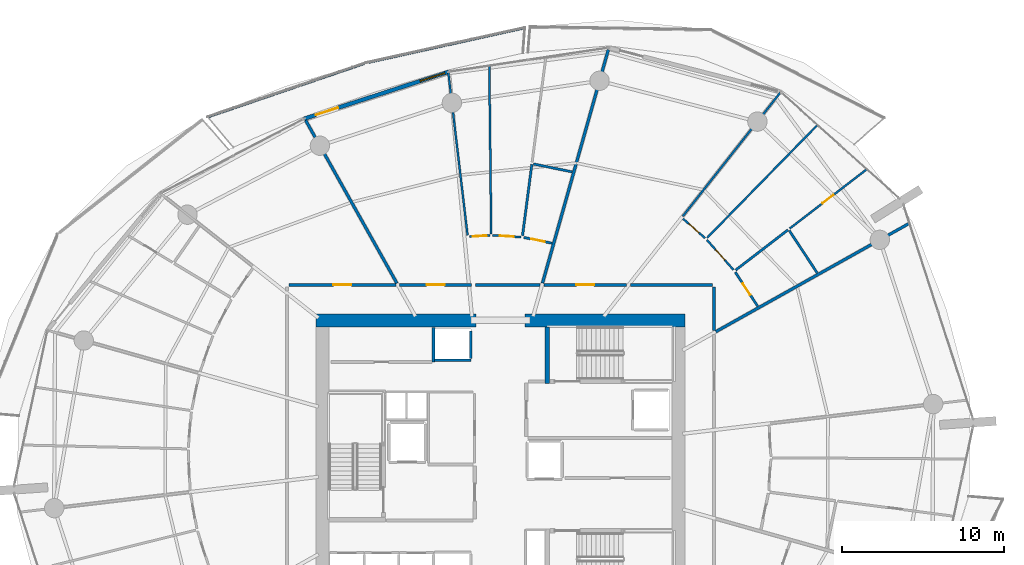
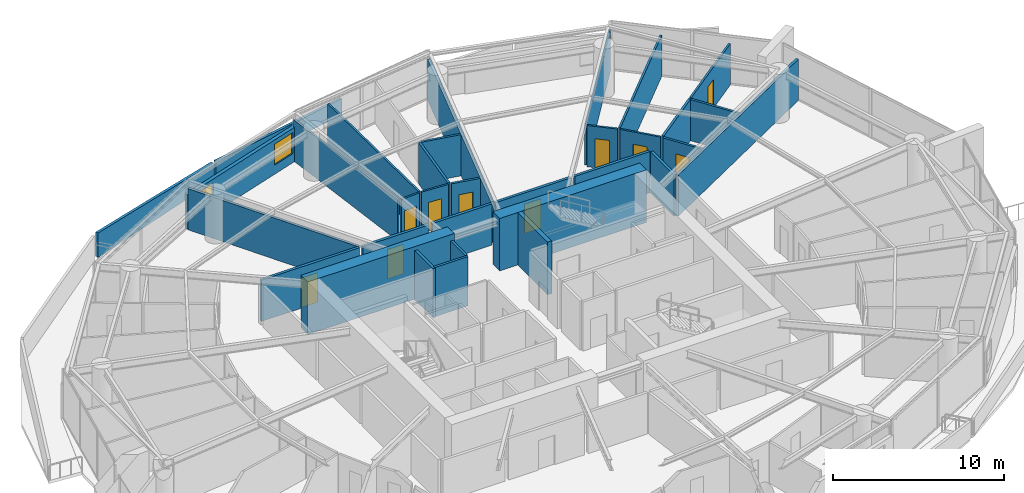
# One storey, part 15 of 23: 33 walls, 11 doors, 1 window, 12 openings.
"""IFC4 building model written with IfcOpenShell, lengths in metres."""

import ifcopenshell
import ifcopenshell.guid

model = None  # the IFC model being written
_history = None  # IfcOwnerHistory: only IFC2X3 demands one
_inside = {}  # id of a spatial element -> (the spatial element, [elements in it])
_under = {}  # id of a project, library or spatial element -> (it, [spatial elements below it])
_declared = {}  # id of a project -> (the project, [libraries it declares])
_typed = {}  # id of a type object -> (the type object, [elements of that type])
_made_of = {}  # id of a material, layer set ... -> (it, [elements and type objects made of it])


def new_model(schema):
    """Start an empty IFC model of exactly this schema.

    Asked for "IFC4X3", IfcOpenShell would pick the latest addendum, in which some entities
    have other attributes; the version numbers below select the first issue.
    IFC2X3 requires an IfcOwnerHistory on every rooted entity: one is made here for all.
    """
    global model, _history
    if schema == "IFC4X3":
        model = ifcopenshell.file(schema_version=(4, 3, 0, 0))
    else:
        model = ifcopenshell.file(schema=schema)
    _inside.clear()
    _under.clear()
    _declared.clear()
    _typed.clear()
    _made_of.clear()
    _history = None
    if model.schema == "IFC2X3":
        org = make("IfcOrganization", Name="unknown")
        user = make(
            "IfcPersonAndOrganization",
            ThePerson=make("IfcPerson", FamilyName="unknown"),
            TheOrganization=org,
        )
        app = make(
            "IfcApplication",
            ApplicationDeveloper=org,
            Version="unknown",
            ApplicationFullName="unknown",
            ApplicationIdentifier="unknown",
        )
        _history = make(
            "IfcOwnerHistory",
            OwningUser=user,
            OwningApplication=app,
            ChangeAction="ADDED",
            CreationDate=0,
        )
    return model


def make(cls, **values):
    """One entity of the class cls with the attributes given. An attribute that is None is left unset."""
    return model.create_entity(
        cls, **{name: value for name, value in values.items() if value is not None}
    )


def rooted(cls, **values):
    """An entity with a GlobalId (a new one), such as an element, a storey or a relation."""
    return make(cls, GlobalId=ifcopenshell.guid.new(), OwnerHistory=_history, **values)


def si_unit(unit_type, name, prefix=None):
    """IfcSIUnit, for example si_unit("LENGTHUNIT", "METRE", prefix="MILLI")."""
    return make("IfcSIUnit", UnitType=unit_type, Prefix=prefix, Name=name)


def assignment(units):
    """IfcUnitAssignment: the units of a project."""
    return None if units is None else make("IfcUnitAssignment", Units=units)


def point(xyz):
    """IfcCartesianPoint."""
    return None if xyz is None else make("IfcCartesianPoint", Coordinates=xyz)


def direction(xyz):
    """IfcDirection."""
    return None if xyz is None else make("IfcDirection", DirectionRatios=xyz)


def frame(location, z_axis=None, x_axis=None):
    """IfcAxis2Placement3D, a coordinate frame: its origin and axes. An axis left out is left unset."""
    return make(
        "IfcAxis2Placement3D",
        Location=point(location),
        Axis=direction(z_axis),
        RefDirection=direction(x_axis),
    )


def frame_2d(location, x_axis=None):
    """IfcAxis2Placement2D, a coordinate frame in the plane: its origin and x axis."""
    return make(
        "IfcAxis2Placement2D", Location=point(location), RefDirection=direction(x_axis)
    )


def origin():
    """The frame at (0, 0, 0) with its axes left unset."""
    return frame((0.0, 0.0, 0.0))


def place(relative_to, where):
    """IfcLocalPlacement: puts the frame where relative to a parent placement (None: the world)."""
    return make(
        "IfcLocalPlacement", PlacementRelTo=relative_to, RelativePlacement=where
    )


def context(
    kind, dimensions, precision=None, world=None, true_north=None, identifier=None
):
    """IfcGeometricRepresentationContext, for example the 3D "Model" context."""
    return make(
        "IfcGeometricRepresentationContext",
        ContextIdentifier=identifier,
        ContextType=kind,
        CoordinateSpaceDimension=dimensions,
        Precision=precision,
        WorldCoordinateSystem=world,
        TrueNorth=true_north,
    )


def subcontext(parent, identifier, kind, view, scale=None):
    """IfcGeometricRepresentationSubContext, for example "Body" below "Model"."""
    return make(
        "IfcGeometricRepresentationSubContext",
        ContextIdentifier=identifier,
        ContextType=kind,
        ParentContext=parent,
        TargetScale=scale,
        TargetView=view,
    )


def project(units=None, contexts=None):
    """IfcProject with its units and contexts."""
    return rooted(
        "IfcProject",
        Name="project",
        RepresentationContexts=contexts,
        UnitsInContext=assignment(units),
    )


def spatial(cls, under=None, at=None, **own):
    """A site, building, storey or space (cls), placed at a placement, below another one or the project."""
    s = rooted(cls, ObjectPlacement=at, **own)
    if under is not None:
        _under.setdefault(under.id(), (under, []))[1].append(s)
    return s


def polyline(points):
    """IfcPolyline through the points."""
    return make("IfcPolyline", Points=[point(p) for p in points])


def profile(cls, at=None, kind="AREA", **sizes):
    """A parametric profile (cls). Its sizes go by their IFC names, for example OverallWidth=200.0."""
    return make(cls, ProfileType=kind, Position=at, **sizes)


def rectangle(**sizes):
    """IfcRectangleProfileDef."""
    return profile("IfcRectangleProfileDef", **sizes)


def outline(outer, holes=None, kind="AREA"):
    """IfcArbitraryClosedProfileDef: a profile drawn as a closed curve; with holes, ...WithVoids."""
    if holes is None:
        return make("IfcArbitraryClosedProfileDef", ProfileType=kind, OuterCurve=outer)
    return make(
        "IfcArbitraryProfileDefWithVoids",
        ProfileType=kind,
        OuterCurve=outer,
        InnerCurves=holes,
    )


def extrude(swept, where, along, depth):
    """IfcExtrudedAreaSolid: the profile swept, set in the frame where, extruded along a direction by depth."""
    return make(
        "IfcExtrudedAreaSolid",
        SweptArea=swept,
        Position=where,
        ExtrudedDirection=direction(along),
        Depth=depth,
    )


def shape(context_of_items, identifier, shape_type, items):
    """IfcShapeRepresentation: the items that make up one representation, for example the "Body"."""
    return make(
        "IfcShapeRepresentation",
        ContextOfItems=context_of_items,
        RepresentationIdentifier=identifier,
        RepresentationType=shape_type,
        Items=items,
    )


def material(Name=None, Category=None):
    """IfcMaterial."""
    return make("IfcMaterial", Name=Name, Category=Category)


def layer(
    of_material, thickness, ventilated=None, Name=None, Category=None, Priority=None
):
    """IfcMaterialLayer: one layer of a wall or slab, of a material (None: an air gap)."""
    return make(
        "IfcMaterialLayer",
        Material=of_material,
        LayerThickness=thickness,
        IsVentilated=ventilated,
        Name=Name,
        Category=Category,
        Priority=Priority,
    )


def layer_set(layers, Name=None):
    """IfcMaterialLayerSet."""
    return make("IfcMaterialLayerSet", MaterialLayers=layers, LayerSetName=Name)


def made_of(thing, what):
    """Note that an element or type object is made of a material, layer set ...; save() writes the relation."""
    if what is not None:
        _made_of.setdefault(what.id(), (what, []))[1].append(thing)
    return thing


def type_object(cls, material=None, **own):
    """A type object (cls), such as IfcWallType, which elements share."""
    return made_of(rooted(cls, **own), material)


def element(
    cls,
    number,
    at=None,
    inside=None,
    cuts=None,
    type_object=None,
    material=None,
    context=None,
    identifier="Body",
    shape_type=None,
    held_by="IfcProductDefinitionShape",
    body=None,
    shapes=None,
    **own,
):
    """One element of the class cls, such as IfcWall. Its Tag is "e" and its number.

    at: its placement. inside: the storey or other place that contains it. cuts: it is an
    opening in that element (IfcRelVoidsElement). A single representation is given by context,
    identifier, shape_type and body (its items); several are given by shapes. held_by: the class
    of the entity that holds the representations. save() writes the other relations.
    """
    e = rooted(cls, Tag="e%d" % number, ObjectPlacement=at, **own)
    if body is not None:
        shapes = [shape(context, identifier, shape_type, body)]
    if shapes is not None:
        e.Representation = make(held_by, Representations=shapes)
    if inside is not None:
        _inside.setdefault(inside.id(), (inside, []))[1].append(e)
    if cuts is not None:
        rooted(
            "IfcRelVoidsElement", RelatingBuildingElement=cuts, RelatedOpeningElement=e
        )
    if type_object is not None:
        _typed.setdefault(type_object.id(), (type_object, []))[1].append(e)
    return made_of(e, material)


def fill(opening, filler):
    """IfcRelFillsElement: the door or window that sits in an opening."""
    return rooted(
        "IfcRelFillsElement",
        RelatingOpeningElement=opening,
        RelatedBuildingElement=filler,
    )


def aggregate(whole, parts):
    """IfcRelAggregates: a whole, such as a stair, and the parts it consists of."""
    return rooted("IfcRelAggregates", RelatingObject=whole, RelatedObjects=parts)


def save(model, path):
    """Write the relations noted so far, then the file.

    IfcRelAggregates (storeys below a building ...), IfcRelContainedInSpatialStructure (elements
    in a storey), IfcRelDefinesByType, IfcRelAssociatesMaterial and IfcRelDeclares: one each for
    every whole, place, type object, material and project.
    """
    for whole, parts in _under.values():
        aggregate(whole, parts)
    for where, things in _inside.values():
        rooted(
            "IfcRelContainedInSpatialStructure",
            RelatedElements=things,
            RelatingStructure=where,
        )
    for kind, things in _typed.values():
        rooted("IfcRelDefinesByType", RelatedObjects=things, RelatingType=kind)
    for what, things in _made_of.values():
        rooted("IfcRelAssociatesMaterial", RelatedObjects=things, RelatingMaterial=what)
    for by, libraries in _declared.values():
        rooted("IfcRelDeclares", RelatingContext=by, RelatedDefinitions=libraries)
    model.write(path)


model = new_model("IFC4")

# Units and contexts
model_context = context("Model", 3, precision=1e-05, world=origin(), true_north=direction((0.0, 1.0)))
body_context = subcontext(model_context, "Body", "Model", "MODEL_VIEW")
ifc_project = project(units=[si_unit("LENGTHUNIT", "METRE"), si_unit("AREAUNIT", "SQUARE_METRE"), si_unit("VOLUMEUNIT", "CUBIC_METRE"), si_unit("PLANEANGLEUNIT", "RADIAN"), si_unit("MASSUNIT", "GRAM", prefix="KILO")], contexts=[model_context])

# Site, building, storey
site_placement = place(None, origin())
site = spatial("IfcSite", under=ifc_project, at=site_placement, CompositionType="ELEMENT")
building_placement = place(site_placement, origin())
building = spatial("IfcBuilding", under=site, at=building_placement, Name="Kazma Halo Residences", CompositionType="ELEMENT")
storey_placement = place(building_placement, frame((0.0, 0.0, 78.89990234375)))
storey = spatial("IfcBuildingStorey", under=building, at=storey_placement, Name="L19", CompositionType="ELEMENT", Elevation=78.89990234375)

# Walls
ifc_material_1 = material(Name="White Concrete C50/60 Balustrade", Category="concrete")
ifc_layer_1 = layer(ifc_material_1, 0.179931640625)
ifc_layer_set_1 = layer_set([ifc_layer_1], Name="White Concrete C50/60 Balustrade")
wall_type_1 = type_object("IfcWallType", Name="WL-BAL-WAVE-180", PredefinedType="PARAPET", material=ifc_layer_set_1)
wall_1_placement = place(storey_placement, frame((49.9248046875, 68.52685546875, 0.0), z_axis=(0.0, 0.0, 1.0), x_axis=(-0.976378265654, -0.216068235423, 0.0)))
element("IfcWall", 1, at=wall_1_placement, inside=storey, type_object=wall_type_1, Name="L19 white wave balustrade wall NNW.1", PredefinedType="PARAPET", context=body_context, shape_type="SweptSolid", body=[
    extrude(outline(polyline([(0.0, 0.0), (9.95458984375, 0.0), (9.95458984375, 1.34814453125), (4.977294921875, 1.18212890625), (0.0, 1.1201171875), (0.0, 0.0)])), frame((0.0, 0.08984375, 0.0), z_axis=(0.0, -1.0, 0.0), x_axis=(1.0, 0.0, 0.0)), (0.0, 0.0, 1.0), 0.179931640625),
])
wall_2_placement = place(storey_placement, frame((39.974609375, 66.311279296875, 0.0), z_axis=(0.0, 0.0, 1.0), x_axis=(-0.94637474678, -0.323070949881, 0.0)))
element("IfcWall", 2, at=wall_2_placement, inside=storey, type_object=wall_type_1, Name="L19 white wave balustrade wall NNW.2", PredefinedType="PARAPET", context=body_context, shape_type="SweptSolid", body=[
    extrude(outline(polyline([(0.0, 0.0), (10.240966796875, 0.0), (10.240966796875, 1.7470703125), (5.12060546875, 1.56201171875), (0.0, 1.34814453125), (0.0, 0.0)])), frame((0.0, 0.08984375, 0.0), z_axis=(0.0, -1.0, 0.0), x_axis=(1.0, 0.0, 0.0)), (0.0, 0.0, 1.0), 0.179931640625),
])
ifc_material_2 = material(Name="Concrete C80/95", Category="concrete")
ifc_layer_2 = layer(ifc_material_2, 0.800048828125)
ifc_layer_set_2 = layer_set([ifc_layer_2], Name="Concrete C80/95")
wall_type_2 = type_object("IfcWallType", Name="WL-CORE-800", PredefinedType="SHEAR", material=ifc_layer_set_2)
wall_3_placement = place(storey_placement, frame((37.0, 50.39990234375, 0.0), z_axis=(0.0, 0.0, 1.0), x_axis=(1.0, 0.0, 0.0)))
element("IfcWall", 3, at=wall_3_placement, inside=storey, type_object=wall_type_2, Name="L19 central core shear wall NW", PredefinedType="SHEAR", context=body_context, shape_type="SweptSolid", body=[
    extrude(rectangle(XDim=9.89990234375, YDim=0.800048828125, at=frame_2d((4.949951171875, 0.0))), origin(), (0.0, 0.0, 1.0), 3.75),
])
wall_4_placement = place(storey_placement, frame((49.949951171875, 50.39990234375, 0.0), z_axis=(0.0, 0.0, 1.0), x_axis=(1.0, 0.0, 0.0)))
element("IfcWall", 4, at=wall_4_placement, inside=storey, type_object=wall_type_2, Name="L19 central core shear wall NE", PredefinedType="SHEAR", context=body_context, shape_type="SweptSolid", body=[
    extrude(rectangle(XDim=9.900146484375, YDim=0.800048828125, at=frame_2d((4.9501953125, 0.0))), origin(), (0.0, 0.0, 1.0), 3.75),
])
ifc_material_3 = material(Name="Concrete C60/75", Category="concrete")
ifc_layer_3 = layer(ifc_material_3, 0.280029296875)
ifc_layer_set_3 = layer_set([ifc_layer_3], Name="Concrete C60/75")
wall_type_3 = type_object("IfcWallType", Name="WL-CORE-ST-280", PredefinedType="SHEAR", material=ifc_layer_set_3)
wall_5_placement = place(storey_placement, frame((51.31005859375, 46.5, 0.0), z_axis=(0.0, 0.0, 1.0), x_axis=(0.0, 1.0, 0.0)))
element("IfcWall", 5, at=wall_5_placement, inside=storey, type_object=wall_type_3, Name="L19 stairwell bearing wall ST02-W", PredefinedType="SHEAR", context=body_context, shape_type="SweptSolid", body=[
    extrude(rectangle(XDim=3.5, YDim=0.280029296875, at=frame_2d((1.75, 0.0))), origin(), (0.0, 0.0, 1.0), 3.75),
])
ifc_material_4 = material(Name="Acoustic Twin-Stud Gypsum")
ifc_layer_4 = layer(ifc_material_4, 0.179931640625)
ifc_layer_set_4 = layer_set([ifc_layer_4], Name="Acoustic Twin-Stud Gypsum")
wall_type_4 = type_object("IfcWallType", Name="WL-DEM-180", PredefinedType="PARTITIONING", material=ifc_layer_set_4)
wall_6_placement = place(storey_placement, frame((61.74609375, 49.697998046875, 0.0), z_axis=(0.0, 0.0, 1.0), x_axis=(0.872489938668, 0.488632077256, 0.0)))
element("IfcWall", 6, at=wall_6_placement, inside=storey, type_object=wall_type_4, Name="L19 apartment demising radial wall 00", PredefinedType="PARTITIONING", context=body_context, shape_type="SweptSolid", body=[
    extrude(rectangle(XDim=13.724609375, YDim=0.179931640625, at=frame_2d((6.8623046875, 0.0))), origin(), (0.0, 0.0, 1.0), 2.940185546875),
])
wall_7_placement = place(storey_placement, frame((51.019287109375, 52.705810546875, 0.0), z_axis=(0.0, 0.0, 1.0), x_axis=(0.271450895995, 0.962452290279, 0.0)))
element("IfcWall", 7, at=wall_7_placement, inside=storey, type_object=wall_type_4, Name="L19 apartment demising radial wall 02", PredefinedType="PARTITIONING", context=body_context, shape_type="SweptSolid", body=[
    extrude(rectangle(XDim=15.014404296875, YDim=0.179931640625, at=frame_2d((7.50732421875, 0.0))), origin(), (0.0, 0.0, 1.0), 2.940185546875),
])
wall_8_placement = place(storey_placement, frame((42.010009765625, 52.696044921875, 0.0), z_axis=(0.0, 0.0, 1.0), x_axis=(-0.488628442553, 0.872491974249, 0.0)))
element("IfcWall", 8, at=wall_8_placement, inside=storey, type_object=wall_type_4, Name="L19 apartment demising radial wall 04", PredefinedType="PARTITIONING", context=body_context, shape_type="SweptSolid", body=[
    extrude(rectangle(XDim=11.563232421875, YDim=0.179931640625, at=frame_2d((5.78173828125, 0.0))), origin(), (0.0, 0.0, 1.0), 2.940185546875),
])

# Wall, opening, door
wall_9_placement = place(storey_placement, frame((41.943603515625, 52.60009765625, 0.0), z_axis=(0.0, 0.0, 1.0), x_axis=(-1.0, 0.0, 0.0)))
wall_9 = element("IfcWall", 9, at=wall_9_placement, inside=storey, type_object=wall_type_4, Name="L19 Apartment 1 entrance corridor wall", PredefinedType="PARTITIONING", context=body_context, shape_type="SweptSolid", body=[
    extrude(rectangle(XDim=6.62353515625, YDim=0.179931640625, at=frame_2d((3.311767578125, 0.0))), origin(), (0.0, 0.0, 1.0), 2.940185546875),
])
opening_1_placement = place(wall_9_placement, frame((2.76171875, 0.0, 0.0)))
opening_1 = element("IfcOpeningElement", 10, at=opening_1_placement, cuts=wall_9, Name="Opening DA-1100", PredefinedType="OPENING", context=body_context, shape_type="SweptSolid", body=[
    extrude(rectangle(XDim=1.10009765625, YDim=2.10009765625, at=frame_2d((0.550048828125, 1.050048828125))), frame((0.0, 0.099853515625, 0.0), z_axis=(0.0, -1.0, 0.0), x_axis=(1.0, 0.0, 0.0)), (0.0, 0.0, 1.0), 0.199951171875),
])
ifc_material_5 = material(Name="Acoustic Walnut Fire Leaf")
door_type_1 = type_object("IfcDoorType", Name="DR-FD60-1100", OperationType="NOTDEFINED", PredefinedType="DOOR", material=ifc_material_5)
door_1_placement = place(opening_1_placement, origin())
door_1 = element("IfcDoor", 11, at=door_1_placement, inside=storey, type_object=door_type_1, Name="L19 Apartment 1 entrance fire door", OperationType="SINGLE_SWING_LEFT", OverallHeight=2.10009765625, OverallWidth=1.10009765625, PredefinedType="DOOR", context=body_context, shape_type="SweptSolid", body=[
    extrude(rectangle(XDim=1.10009765625, YDim=2.10009765625, at=frame_2d((0.550048828125, 1.050048828125))), frame((0.0, 0.02490234375, 0.0), z_axis=(0.0, -1.0, 0.0), x_axis=(1.0, 0.0, 0.0)), (0.0, 0.0, 1.0), 0.050048828125),
])
fill(opening_1, door_1)

wall_10_placement = place(storey_placement, frame((56.236328125, 52.60009765625, 0.0), z_axis=(0.0, 0.0, 1.0), x_axis=(-1.0, 0.0, 0.0)))
wall_10 = element("IfcWall", 12, at=wall_10_placement, inside=storey, type_object=wall_type_4, Name="L19 Apartment 5 entrance corridor wall", PredefinedType="PARTITIONING", context=body_context, shape_type="SweptSolid", body=[
    extrude(rectangle(XDim=5.126708984375, YDim=0.179931640625, at=frame_2d((2.5634765625, 0.0))), origin(), (0.0, 0.0, 1.0), 2.940185546875),
])
opening_2_placement = place(wall_10_placement, frame((2.013427734375, 0.0, 0.0)))
opening_2 = element("IfcOpeningElement", 13, at=opening_2_placement, cuts=wall_10, Name="Opening DA-1100", PredefinedType="OPENING", context=body_context, shape_type="SweptSolid", body=[
    extrude(rectangle(XDim=1.10009765625, YDim=2.10009765625, at=frame_2d((0.550048828125, 1.050048828125))), frame((0.0, 0.099853515625, 0.0), z_axis=(0.0, -1.0, 0.0), x_axis=(1.0, 0.0, 0.0)), (0.0, 0.0, 1.0), 0.199951171875),
])
door_2_placement = place(opening_2_placement, origin())
door_2 = element("IfcDoor", 14, at=door_2_placement, inside=storey, type_object=door_type_1, Name="L19 Apartment 5 entrance fire door", OperationType="SINGLE_SWING_LEFT", OverallHeight=2.10009765625, OverallWidth=1.10009765625, PredefinedType="DOOR", context=body_context, shape_type="SweptSolid", body=[
    extrude(rectangle(XDim=1.10009765625, YDim=2.10009765625, at=frame_2d((0.550048828125, 1.050048828125))), frame((0.0, 0.02490234375, 0.0), z_axis=(0.0, -1.0, 0.0), x_axis=(1.0, 0.0, 0.0)), (0.0, 0.0, 1.0), 0.050048828125),
])
fill(opening_2, door_2)

# Walls
wall_11_placement = place(storey_placement, frame((61.64990234375, 49.764404296875, 0.0), z_axis=(0.0, 0.0, 1.0), x_axis=(0.0, 1.0, 0.0)))
element("IfcWall", 15, at=wall_11_placement, inside=storey, type_object=wall_type_4, Name="L19 Apartment 5 inner wall 0", PredefinedType="PARTITIONING", context=body_context, shape_type="SweptSolid", body=[
    extrude(rectangle(XDim=2.715576171875, YDim=0.179931640625, at=frame_2d((1.35791015625, 0.0))), origin(), (0.0, 0.0, 1.0), 2.940185546875),
])
wall_12_placement = place(storey_placement, frame((61.530029296875, 52.60009765625, 0.0), z_axis=(0.0, 0.0, 1.0), x_axis=(-1.0, 0.0, 0.0)))
element("IfcWall", 16, at=wall_12_placement, inside=storey, type_object=wall_type_4, Name="L19 Apartment 5 inner wall 0", PredefinedType="PARTITIONING", context=body_context, shape_type="SweptSolid", body=[
    extrude(rectangle(XDim=5.0537109375, YDim=0.179931640625, at=frame_2d((2.52685546875, 0.0))), origin(), (0.0, 0.0, 1.0), 2.940185546875),
])

# Wall, opening, door
wall_13_placement = place(storey_placement, frame((46.62548828125, 52.60009765625, 0.0), z_axis=(0.0, 0.0, 1.0), x_axis=(-1.0, 0.0, 0.0)))
wall_13 = element("IfcWall", 17, at=wall_13_placement, inside=storey, type_object=wall_type_4, Name="L19 Apartment 6 entrance corridor wall", PredefinedType="PARTITIONING", context=body_context, shape_type="SweptSolid", body=[
    extrude(rectangle(XDim=4.44189453125, YDim=0.179931640625, at=frame_2d((2.220947265625, 0.0))), origin(), (0.0, 0.0, 1.0), 2.940185546875),
])
opening_3_placement = place(wall_13_placement, frame((1.6708984375, 0.0, 0.0)))
opening_3 = element("IfcOpeningElement", 18, at=opening_3_placement, cuts=wall_13, Name="Opening DA-1100", PredefinedType="OPENING", context=body_context, shape_type="SweptSolid", body=[
    extrude(rectangle(XDim=1.10009765625, YDim=2.10009765625, at=frame_2d((0.550048828125, 1.050048828125))), frame((0.0, 0.099853515625, 0.0), z_axis=(0.0, -1.0, 0.0), x_axis=(1.0, 0.0, 0.0)), (0.0, 0.0, 1.0), 0.199951171875),
])
door_3_placement = place(opening_3_placement, origin())
door_3 = element("IfcDoor", 19, at=door_3_placement, inside=storey, type_object=door_type_1, Name="L19 Apartment 6 entrance fire door", OperationType="SINGLE_SWING_RIGHT", OverallHeight=2.10009765625, OverallWidth=1.10009765625, PredefinedType="DOOR", context=body_context, shape_type="SweptSolid", body=[
    extrude(rectangle(XDim=1.10009765625, YDim=2.10009765625, at=frame_2d((0.550048828125, 1.050048828125))), frame((0.0, 0.02490234375, 0.0), z_axis=(0.0, -1.0, 0.0), x_axis=(1.0, 0.0, 0.0)), (0.0, 0.0, 1.0), 0.050048828125),
])
fill(opening_3, door_3)

# Wall
wall_14_placement = place(storey_placement, frame((50.869384765625, 52.60009765625, 0.0), z_axis=(0.0, 0.0, 1.0), x_axis=(-1.0, 0.0, 0.0)))
element("IfcWall", 20, at=wall_14_placement, inside=storey, type_object=wall_type_4, Name="L19 Apartment 6 inner wall 2", PredefinedType="PARTITIONING", context=body_context, shape_type="SweptSolid", body=[
    extrude(rectangle(XDim=4.00390625, YDim=0.179931640625, at=frame_2d((2.001953125, 0.0))), origin(), (0.0, 0.0, 1.0), 2.940185546875),
])

# Wall, openings, door, window
ifc_material_6 = material(Name="Insulated Pale-Metal Composite Wall")
ifc_layer_5 = layer(ifc_material_6, 0.239990234375)
ifc_layer_set_5 = layer_set([ifc_layer_5], Name="Insulated Pale-Metal Composite Wall")
wall_type_5 = type_object("IfcWallType", Name="WL-EXT-HOST-240", PredefinedType="SOLIDWALL", material=ifc_layer_set_5)
wall_15_placement = place(storey_placement, frame((45.23291015625, 65.797119140625, 0.0), z_axis=(0.0, 0.0, 1.0), x_axis=(-0.951052494852, -0.30902937083, 0.0)))
wall_15 = element("IfcWall", 21, at=wall_15_placement, inside=storey, type_object=wall_type_5, Name="L19 exterior terrace-access wall B04", PredefinedType="SOLIDWALL", context=body_context, shape_type="SweptSolid", body=[
    extrude(rectangle(XDim=9.44384765625, YDim=0.239990234375, at=frame_2d((4.721923828125, 0.0))), origin(), (0.0, 0.0, 1.0), 2.4501953125),
])
opening_4_placement = place(wall_15_placement, frame((7.223876953125, 0.0, 0.0)))
opening_4 = element("IfcOpeningElement", 22, at=opening_4_placement, cuts=wall_15, Name="Opening DTR-1600", PredefinedType="OPENING", context=body_context, shape_type="SweptSolid", body=[
    extrude(rectangle(XDim=1.449951171875, YDim=2.14990234375, at=frame_2d((0.72509765625, 1.074951171875))), frame((0.0, 0.1298828125, 0.0), z_axis=(0.0, -1.0, 0.0), x_axis=(1.0, 0.0, 0.0)), (0.0, 0.0, 1.0), 0.260009765625),
])
opening_5_placement = place(wall_15_placement, frame((0.280029296875, 0.0, 0.64990234375)))
opening_5 = element("IfcOpeningElement", 23, at=opening_5_placement, cuts=wall_15, Name="Opening W-1800", PredefinedType="OPENING", context=body_context, shape_type="SweptSolid", body=[
    extrude(rectangle(XDim=1.60009765625, YDim=1.5, at=frame_2d((0.800048828125, 0.75))), frame((0.0, 0.1298828125, 0.0), z_axis=(0.0, -1.0, 0.0), x_axis=(1.0, 0.0, 0.0)), (0.0, 0.0, 1.0), 0.260009765625),
])
ifc_material_7 = material(Name="Aluminium AW-6063 T6 Double-Glazed Terrace Door", Category="aluminium")
door_type_2 = type_object("IfcDoorType", Name="DR-EXT-TERR-1600", OperationType="NOTDEFINED", PredefinedType="DOOR", material=ifc_material_7)
door_4_placement = place(opening_4_placement, origin())
door_4 = element("IfcDoor", 24, at=door_4_placement, inside=storey, type_object=door_type_2, Name="L19 B04 balcony terrace door", OperationType="DOUBLE_DOOR_SLIDING", OverallHeight=2.14990234375, OverallWidth=1.449951171875, PredefinedType="DOOR", context=body_context, shape_type="SweptSolid", body=[
    extrude(rectangle(XDim=1.449951171875, YDim=2.14990234375, at=frame_2d((0.72509765625, 1.074951171875))), frame((0.0, 0.02490234375, 0.0), z_axis=(0.0, -1.0, 0.0), x_axis=(1.0, 0.0, 0.0)), (0.0, 0.0, 1.0), 0.050048828125),
])
fill(opening_4, door_4)
ifc_material_8 = material(Name="Clear Triple-Silver Low-E Glass in Aluminium AW-6063 T6 Frame", Category="aluminium")
window_type = type_object("IfcWindowType", Name="WIN-RES-1800", PartitioningType="DOUBLE_PANEL_VERTICAL", PredefinedType="WINDOW", material=ifc_material_8)
window_placement = place(opening_5_placement, origin())
window = element("IfcWindow", 25, at=window_placement, inside=storey, type_object=window_type, Name="L19 B04 apartment window", OverallHeight=1.5, OverallWidth=1.60009765625, PartitioningType="SINGLE_PANEL", PredefinedType="WINDOW", context=body_context, shape_type="SweptSolid", body=[
    extrude(rectangle(XDim=1.60009765625, YDim=1.5, at=frame_2d((0.800048828125, 0.75))), frame((0.0, 0.030029296875, 0.0), z_axis=(0.0, -1.0, 0.0), x_axis=(1.0, 0.0, 0.0)), (0.0, 0.0, 1.0), 0.06005859375),
])
fill(opening_5, window)

# Walls
ifc_material_9 = material(Name="Fire-Rated Blockwork Masonry", Category="masonry")
ifc_layer_6 = layer(ifc_material_9, 0.199951171875)
ifc_layer_set_6 = layer_set([ifc_layer_6], Name="Fire-Rated Blockwork Masonry")
wall_type_6 = type_object("IfcWallType", Name="WL-FLB-200", PredefinedType="PARTITIONING", material=ifc_layer_set_6)
wall_16_placement = place(storey_placement, frame((46.580078125, 47.945068359375, 0.0), z_axis=(0.0, 0.0, 1.0), x_axis=(-1.0, 0.0, 0.0)))
element("IfcWall", 26, at=wall_16_placement, inside=storey, type_object=wall_type_6, Name="L19 lift shaft PX-01 front wall", PredefinedType="PARTITIONING", context=body_context, shape_type="SweptSolid", body=[
    extrude(rectangle(XDim=2.260009765625, YDim=0.159912109375, at=frame_2d((1.1298828125, 0.0))), origin(), (0.0, 0.0, 1.0), 3.5),
])
wall_17_placement = place(storey_placement, frame((46.580078125, 48.044921875, 0.0), z_axis=(0.0, 0.0, 1.0), x_axis=(0.0, 1.0, 0.0)))
element("IfcWall", 27, at=wall_17_placement, inside=storey, type_object=wall_type_6, Name="L19 lift shaft PX-01 side wall E", PredefinedType="PARTITIONING", context=body_context, shape_type="SweptSolid", body=[
    extrude(rectangle(XDim=1.7099609375, YDim=0.159912109375, at=frame_2d((0.85498046875, 0.0))), origin(), (0.0, 0.0, 1.0), 3.5),
])
wall_18_placement = place(storey_placement, frame((44.280029296875, 47.820068359375, 0.0), z_axis=(0.0, 0.0, 1.0), x_axis=(0.0, 1.0, 0.0)))
element("IfcWall", 28, at=wall_18_placement, inside=storey, type_object=wall_type_6, Name="L19 PX-01 hoistway west wall", PredefinedType="PARTITIONING", context=body_context, shape_type="SweptSolid", body=[
    extrude(rectangle(XDim=2.1298828125, YDim=0.179931640625, at=frame_2d((1.06494140625, 0.0))), origin(), (0.0, 0.0, 1.0), 3.5),
])
ifc_material_10 = material(Name="Gypsum Plasterboard Partition")
ifc_layer_7 = layer(ifc_material_10, 0.125)
ifc_layer_set_7 = layer_set([ifc_layer_7], Name="Gypsum Plasterboard Partition")
wall_type_7 = type_object("IfcWallType", Name="WL-PART-125", PredefinedType="PARTITIONING", material=ifc_layer_set_7)
wall_19_placement = place(storey_placement, frame((59.7021484375, 56.843994140625, 0.0), z_axis=(0.0, 0.0, 1.0), x_axis=(0.619083405129, 0.785325243128, 0.0)))
element("IfcWall", 29, at=wall_19_placement, inside=storey, type_object=wall_type_7, Name="L19 Apartment 5 living radial partition 0", PredefinedType="PARTITIONING", context=body_context, shape_type="SweptSolid", body=[
    extrude(rectangle(XDim=9.76904296875, YDim=0.125, at=frame_2d((4.884521484375, 0.0))), origin(), (0.0, 0.0, 1.0), 2.940185546875),
])

# Wall, opening, door
wall_20_placement = place(storey_placement, frame((66.322998046875, 56.08642578125, 0.0), z_axis=(0.0, 0.0, 1.0), x_axis=(0.792792040596, 0.60949223159, 0.0)))
wall_20 = element("IfcWall", 30, at=wall_20_placement, inside=storey, type_object=wall_type_7, Name="L19 Apartment 5 Utility Laundry Room partition wall", PredefinedType="PARTITIONING", context=body_context, shape_type="SweptSolid", body=[
    extrude(rectangle(XDim=5.99365234375, YDim=0.125, at=frame_2d((2.996826171875, 0.0))), origin(), (0.0, 0.0, 1.0), 2.940185546875),
])
opening_6_placement = place(wall_20_placement, frame((2.57177734375, 0.0, 0.0)))
opening_6 = element("IfcOpeningElement", 31, at=opening_6_placement, cuts=wall_20, Name="Opening DB-900", PredefinedType="OPENING", context=body_context, shape_type="SweptSolid", body=[
    extrude(rectangle(XDim=0.85009765625, YDim=2.06005859375, at=frame_2d((0.425048828125, 1.030029296875))), frame((0.0, 0.072509765625, 0.0), z_axis=(0.0, -1.0, 0.0), x_axis=(1.0, 0.0, 0.0)), (0.0, 0.0, 1.0), 0.14501953125),
])
ifc_material_11 = material(Name="Moisture-Sealed Timber Leaf", Category="wood")
door_type_3 = type_object("IfcDoorType", Name="DR-BTH-900", OperationType="NOTDEFINED", PredefinedType="DOOR", material=ifc_material_11)
door_5_placement = place(opening_6_placement, origin())
door_5 = element("IfcDoor", 32, at=door_5_placement, inside=storey, type_object=door_type_3, Name="L19 Apartment 5 Utility Laundry Room door", OperationType="SINGLE_SWING_LEFT", OverallHeight=2.06005859375, OverallWidth=0.85009765625, PredefinedType="DOOR", context=body_context, shape_type="SweptSolid", body=[
    extrude(rectangle(XDim=0.85009765625, YDim=2.06005859375, at=frame_2d((0.425048828125, 1.030029296875))), frame((0.0, 0.02490234375, 0.0), z_axis=(0.0, -1.0, 0.0), x_axis=(1.0, 0.0, 0.0)), (0.0, 0.0, 1.0), 0.050048828125),
])
fill(opening_6, door_5)

# Wall
wall_21_placement = place(storey_placement, frame((61.20751953125, 55.50830078125, 0.0), z_axis=(0.0, 0.0, 1.0), x_axis=(0.699096858951, 0.715026979774, 0.0)))
element("IfcWall", 33, at=wall_21_placement, inside=storey, type_object=wall_type_7, Name="L19 Apartment 5 suite divider 0", PredefinedType="PARTITIONING", context=body_context, shape_type="SweptSolid", body=[
    extrude(rectangle(XDim=9.7470703125, YDim=0.125, at=frame_2d((4.87353515625, 0.0))), origin(), (0.0, 0.0, 1.0), 2.940185546875),
])

# Wall, opening, door
wall_22_placement = place(storey_placement, frame((62.84619140625, 53.52685546875, 0.0), z_axis=(0.0, 0.0, 1.0), x_axis=(-0.663881646848, 0.747837655497, 0.0)))
wall_22 = element("IfcWall", 34, at=wall_22_placement, inside=storey, type_object=wall_type_7, Name="L19 Apartment 5 Gourmet Kitchen hall wall", PredefinedType="PARTITIONING", context=body_context, shape_type="SweptSolid", body=[
    extrude(rectangle(XDim=2.4833984375, YDim=0.125, at=frame_2d((1.24169921875, 0.0))), origin(), (0.0, 0.0, 1.0), 2.940185546875),
])
opening_7_placement = place(wall_22_placement, frame((0.816650390625, 0.0, 0.0)))
opening_7 = element("IfcOpeningElement", 35, at=opening_7_placement, cuts=wall_22, Name="Opening DB-900", PredefinedType="OPENING", context=body_context, shape_type="SweptSolid", body=[
    extrude(rectangle(XDim=0.85009765625, YDim=2.06005859375, at=frame_2d((0.425048828125, 1.030029296875))), frame((0.0, 0.072509765625, 0.0), z_axis=(0.0, -1.0, 0.0), x_axis=(1.0, 0.0, 0.0)), (0.0, 0.0, 1.0), 0.14501953125),
])
door_6_placement = place(opening_7_placement, origin())
door_6 = element("IfcDoor", 36, at=door_6_placement, inside=storey, type_object=door_type_3, Name="L19 Apartment 5 Gourmet Kitchen door", OperationType="SINGLE_SWING_RIGHT", OverallHeight=2.06005859375, OverallWidth=0.85009765625, PredefinedType="DOOR", context=body_context, shape_type="SweptSolid", body=[
    extrude(rectangle(XDim=0.85009765625, YDim=2.06005859375, at=frame_2d((0.425048828125, 1.030029296875))), frame((0.0, 0.02490234375, 0.0), z_axis=(0.0, -1.0, 0.0), x_axis=(1.0, 0.0, 0.0)), (0.0, 0.0, 1.0), 0.050048828125),
])
fill(opening_7, door_6)

wall_23_placement = place(storey_placement, frame((61.08447265625, 55.49658203125, 0.0), z_axis=(0.0, 0.0, 1.0), x_axis=(-0.75124742024, 0.660020691784, 0.0)))
wall_23 = element("IfcWall", 37, at=wall_23_placement, inside=storey, type_object=wall_type_7, Name="L19 Apartment 5 Primary Bedroom hall wall", PredefinedType="PARTITIONING", context=body_context, shape_type="SweptSolid", body=[
    extrude(rectangle(XDim=1.822509765625, YDim=0.125, at=frame_2d((0.9111328125, 0.0))), origin(), (0.0, 0.0, 1.0), 2.940185546875),
])
opening_8_placement = place(wall_23_placement, frame((0.486083984375, 0.0, 0.0)))
opening_8 = element("IfcOpeningElement", 38, at=opening_8_placement, cuts=wall_23, Name="Opening DB-900", PredefinedType="OPENING", context=body_context, shape_type="SweptSolid", body=[
    extrude(rectangle(XDim=0.85009765625, YDim=2.06005859375, at=frame_2d((0.425048828125, 1.030029296875))), frame((0.0, 0.072509765625, 0.0), z_axis=(0.0, -1.0, 0.0), x_axis=(1.0, 0.0, 0.0)), (0.0, 0.0, 1.0), 0.14501953125),
])
door_7_placement = place(opening_8_placement, origin())
door_7 = element("IfcDoor", 39, at=door_7_placement, inside=storey, type_object=door_type_3, Name="L19 Apartment 5 Primary Bedroom door", OperationType="SINGLE_SWING_LEFT", OverallHeight=2.06005859375, OverallWidth=0.85009765625, PredefinedType="DOOR", context=body_context, shape_type="SweptSolid", body=[
    extrude(rectangle(XDim=0.85009765625, YDim=2.06005859375, at=frame_2d((0.425048828125, 1.030029296875))), frame((0.0, 0.02490234375, 0.0), z_axis=(0.0, -1.0, 0.0), x_axis=(1.0, 0.0, 0.0)), (0.0, 0.0, 1.0), 0.050048828125),
])
fill(opening_8, door_7)

# Walls
wall_24_placement = place(storey_placement, frame((46.381591796875, 55.673583984375, 0.0), z_axis=(0.0, 0.0, 1.0), x_axis=(-0.117533197276, 0.99306895407, 0.0)))
element("IfcWall", 40, at=wall_24_placement, inside=storey, type_object=wall_type_7, Name="L19 Apartment 6 living radial partition 2", PredefinedType="PARTITIONING", context=body_context, shape_type="SweptSolid", body=[
    extrude(rectangle(XDim=10.1533203125, YDim=0.125, at=frame_2d((5.07666015625, 0.0))), origin(), (0.0, 0.0, 1.0), 2.940185546875),
])
wall_25_placement = place(storey_placement, frame((47.84521484375, 55.758056640625, 0.0), z_axis=(0.0, 0.0, 1.0), x_axis=(-0.011264572172, 0.999936552694, 0.0)))
element("IfcWall", 41, at=wall_25_placement, inside=storey, type_object=wall_type_7, Name="L19 Apartment 6 suite divider 2", PredefinedType="PARTITIONING", context=body_context, shape_type="SweptSolid", body=[
    extrude(rectangle(XDim=10.381591796875, YDim=0.125, at=frame_2d((5.19091796875, 0.0))), origin(), (0.0, 0.0, 1.0), 2.940185546875),
])

# Wall, opening, door
wall_26_placement = place(storey_placement, frame((49.681884765625, 55.55908203125, 0.0), z_axis=(0.0, 0.0, 1.0), x_axis=(-0.99824215698, 0.059267158097, 0.0)))
wall_26 = element("IfcWall", 42, at=wall_26_placement, inside=storey, type_object=wall_type_7, Name="L19 Apartment 6 Gourmet Kitchen hall wall", PredefinedType="PARTITIONING", context=body_context, shape_type="SweptSolid", body=[
    extrude(rectangle(XDim=1.759033203125, YDim=0.125, at=frame_2d((0.87939453125, 0.0))), origin(), (0.0, 0.0, 1.0), 2.940185546875),
])
opening_9_placement = place(wall_26_placement, frame((0.45458984375, 0.0, 0.0)))
opening_9 = element("IfcOpeningElement", 43, at=opening_9_placement, cuts=wall_26, Name="Opening DB-900", PredefinedType="OPENING", context=body_context, shape_type="SweptSolid", body=[
    extrude(rectangle(XDim=0.85009765625, YDim=2.06005859375, at=frame_2d((0.425048828125, 1.030029296875))), frame((0.0, 0.072509765625, 0.0), z_axis=(0.0, -1.0, 0.0), x_axis=(1.0, 0.0, 0.0)), (0.0, 0.0, 1.0), 0.14501953125),
])
door_8_placement = place(opening_9_placement, origin())
door_8 = element("IfcDoor", 44, at=door_8_placement, inside=storey, type_object=door_type_3, Name="L19 Apartment 6 Gourmet Kitchen door", OperationType="SINGLE_SWING_RIGHT", OverallHeight=2.06005859375, OverallWidth=0.85009765625, PredefinedType="DOOR", context=body_context, shape_type="SweptSolid", body=[
    extrude(rectangle(XDim=0.85009765625, YDim=2.06005859375, at=frame_2d((0.425048828125, 1.030029296875))), frame((0.0, 0.02490234375, 0.0), z_axis=(0.0, -1.0, 0.0), x_axis=(1.0, 0.0, 0.0)), (0.0, 0.0, 1.0), 0.050048828125),
])
fill(opening_9, door_8)

wall_27_placement = place(storey_placement, frame((47.766357421875, 55.662841796875, 0.0), z_axis=(0.0, 0.0, 1.0), x_axis=(-0.997930857608, -0.064296216329, 0.0)))
wall_27 = element("IfcWall", 45, at=wall_27_placement, inside=storey, type_object=wall_type_7, Name="L19 Apartment 6 Primary Bedroom hall wall", PredefinedType="PARTITIONING", context=body_context, shape_type="SweptSolid", body=[
    extrude(rectangle(XDim=1.27587890625, YDim=0.125, at=frame_2d((0.637939453125, 0.0))), origin(), (0.0, 0.0, 1.0), 2.940185546875),
])
opening_10_placement = place(wall_27_placement, frame((0.212890625, 0.0, 0.0)))
opening_10 = element("IfcOpeningElement", 46, at=opening_10_placement, cuts=wall_27, Name="Opening DB-900", PredefinedType="OPENING", context=body_context, shape_type="SweptSolid", body=[
    extrude(rectangle(XDim=0.85009765625, YDim=2.06005859375, at=frame_2d((0.425048828125, 1.030029296875))), frame((0.0, 0.072509765625, 0.0), z_axis=(0.0, -1.0, 0.0), x_axis=(1.0, 0.0, 0.0)), (0.0, 0.0, 1.0), 0.14501953125),
])
door_9_placement = place(opening_10_placement, origin())
door_9 = element("IfcDoor", 47, at=door_9_placement, inside=storey, type_object=door_type_3, Name="L19 Apartment 6 Primary Bedroom door", OperationType="SINGLE_SWING_LEFT", OverallHeight=2.06005859375, OverallWidth=0.85009765625, PredefinedType="DOOR", context=body_context, shape_type="SweptSolid", body=[
    extrude(rectangle(XDim=0.85009765625, YDim=2.06005859375, at=frame_2d((0.425048828125, 1.030029296875))), frame((0.0, 0.02490234375, 0.0), z_axis=(0.0, -1.0, 0.0), x_axis=(1.0, 0.0, 0.0)), (0.0, 0.0, 1.0), 0.050048828125),
])
fill(opening_10, door_9)

ifc_material_12 = material(Name="Moisture-Resistant Gypsum")
ifc_layer_8 = layer(ifc_material_12, 0.14990234375)
ifc_layer_set_8 = layer_set([ifc_layer_8], Name="Moisture-Resistant Gypsum")
wall_type_8 = type_object("IfcWallType", Name="WL-WET-150", PredefinedType="PARTITIONING", material=ifc_layer_set_8)
wall_28_placement = place(storey_placement, frame((64.349609375, 51.2705078125, 0.0), z_axis=(0.0, 0.0, 1.0), x_axis=(-0.550510405652, 0.83482830167, 0.0)))
wall_28 = element("IfcWall", 48, at=wall_28_placement, inside=storey, type_object=wall_type_8, Name="L19 Apartment 5 Guest Bathroom hall wall", PredefinedType="PARTITIONING", context=body_context, shape_type="SweptSolid", body=[
    extrude(rectangle(XDim=2.5322265625, YDim=0.14990234375, at=frame_2d((1.26611328125, 0.0))), origin(), (0.0, 0.0, 1.0), 2.940185546875),
])
opening_11_placement = place(wall_28_placement, frame((0.841064453125, 0.0, 0.0)))
opening_11 = element("IfcOpeningElement", 49, at=opening_11_placement, cuts=wall_28, Name="Opening DB-900", PredefinedType="OPENING", context=body_context, shape_type="SweptSolid", body=[
    extrude(rectangle(XDim=0.85009765625, YDim=2.06005859375, at=frame_2d((0.425048828125, 1.030029296875))), frame((0.0, 0.0849609375, 0.0), z_axis=(0.0, -1.0, 0.0), x_axis=(1.0, 0.0, 0.0)), (0.0, 0.0, 1.0), 0.169921875),
])
door_10_placement = place(opening_11_placement, origin())
door_10 = element("IfcDoor", 50, at=door_10_placement, inside=storey, type_object=door_type_3, Name="L19 Apartment 5 Guest Bathroom door", OperationType="SINGLE_SWING_RIGHT", OverallHeight=2.06005859375, OverallWidth=0.85009765625, PredefinedType="DOOR", context=body_context, shape_type="SweptSolid", body=[
    extrude(rectangle(XDim=0.85009765625, YDim=2.06005859375, at=frame_2d((0.425048828125, 1.030029296875))), frame((0.0, 0.02490234375, 0.0), z_axis=(0.0, -1.0, 0.0), x_axis=(1.0, 0.0, 0.0)), (0.0, 0.0, 1.0), 0.050048828125),
])
fill(opening_11, door_10)

# Walls
wall_29_placement = place(storey_placement, frame((68.031494140625, 53.33251953125, 0.0), z_axis=(0.0, 0.0, 1.0), x_axis=(-0.550480727927, 0.83484787128, 0.0)))
element("IfcWall", 51, at=wall_29_placement, inside=storey, type_object=wall_type_8, Name="L19 Apartment 5 Guest Bathroom back wall", PredefinedType="PARTITIONING", context=body_context, shape_type="SweptSolid", body=[
    extrude(rectangle(XDim=3.14306640625, YDim=0.14990234375, at=frame_2d((1.571533203125, 0.0))), origin(), (0.0, 0.0, 1.0), 2.940185546875),
])
wall_30_placement = place(storey_placement, frame((62.9775390625, 53.514404296875, 0.0), z_axis=(0.0, 0.0, 1.0), x_axis=(0.792801485355, 0.609479946199, 0.0)))
element("IfcWall", 52, at=wall_30_placement, inside=storey, type_object=wall_type_8, Name="L19 Apartment 5 Guest Bathroom side wall", PredefinedType="PARTITIONING", context=body_context, shape_type="SweptSolid", body=[
    extrude(rectangle(XDim=4.08984375, YDim=0.14990234375, at=frame_2d((2.044921875, 0.0))), origin(), (0.0, 0.0, 1.0), 2.940185546875),
])

# Wall, opening, door
wall_31_placement = place(storey_placement, frame((51.6123046875, 55.17578125, 0.0), z_axis=(0.0, 0.0, 1.0), x_axis=(-0.979559973395, 0.201152326663, 0.0)))
wall_31 = element("IfcWall", 53, at=wall_31_placement, inside=storey, type_object=wall_type_8, Name="L19 Apartment 6 Guest Bathroom hall wall", PredefinedType="PARTITIONING", context=body_context, shape_type="SweptSolid", body=[
    extrude(rectangle(XDim=1.7890625, YDim=0.14990234375, at=frame_2d((0.89453125, 0.0))), origin(), (0.0, 0.0, 1.0), 2.940185546875),
])
opening_12_placement = place(wall_31_placement, frame((0.469482421875, 0.0, 0.0)))
opening_12 = element("IfcOpeningElement", 54, at=opening_12_placement, cuts=wall_31, Name="Opening DB-900", PredefinedType="OPENING", context=body_context, shape_type="SweptSolid", body=[
    extrude(rectangle(XDim=0.85009765625, YDim=2.06005859375, at=frame_2d((0.425048828125, 1.030029296875))), frame((0.0, 0.0849609375, 0.0), z_axis=(0.0, -1.0, 0.0), x_axis=(1.0, 0.0, 0.0)), (0.0, 0.0, 1.0), 0.169921875),
])
door_11_placement = place(opening_12_placement, origin())
door_11 = element("IfcDoor", 55, at=door_11_placement, inside=storey, type_object=door_type_3, Name="L19 Apartment 6 Guest Bathroom door", OperationType="SINGLE_SWING_RIGHT", OverallHeight=2.06005859375, OverallWidth=0.85009765625, PredefinedType="DOOR", context=body_context, shape_type="SweptSolid", body=[
    extrude(rectangle(XDim=0.85009765625, YDim=2.06005859375, at=frame_2d((0.425048828125, 1.030029296875))), frame((0.0, 0.02490234375, 0.0), z_axis=(0.0, -1.0, 0.0), x_axis=(1.0, 0.0, 0.0)), (0.0, 0.0, 1.0), 0.050048828125),
])
fill(opening_12, door_11)

# Walls
wall_32_placement = place(storey_placement, frame((52.858154296875, 59.593505859375, 0.0), z_axis=(0.0, 0.0, 1.0), x_axis=(-0.979569035828, 0.201108189903, 0.0)))
element("IfcWall", 56, at=wall_32_placement, inside=storey, type_object=wall_type_8, Name="L19 Apartment 6 Guest Bathroom back wall", PredefinedType="PARTITIONING", context=body_context, shape_type="SweptSolid", body=[
    extrude(rectangle(XDim=2.453369140625, YDim=0.14990234375, at=frame_2d((1.2265625, 0.0))), origin(), (0.0, 0.0, 1.0), 2.940185546875),
])
wall_33_placement = place(storey_placement, frame((49.783447265625, 55.642822265625, 0.0), z_axis=(0.0, 0.0, 1.0), x_axis=(0.129624682181, 0.991563130501, 0.0)))
element("IfcWall", 57, at=wall_33_placement, inside=storey, type_object=wall_type_8, Name="L19 Apartment 6 Guest Bathroom side wall", PredefinedType="PARTITIONING", context=body_context, shape_type="SweptSolid", body=[
    extrude(rectangle(XDim=4.4599609375, YDim=0.14990234375, at=frame_2d((2.22998046875, 0.0))), origin(), (0.0, 0.0, 1.0), 2.940185546875),
])

save(model, "model.ifc")
